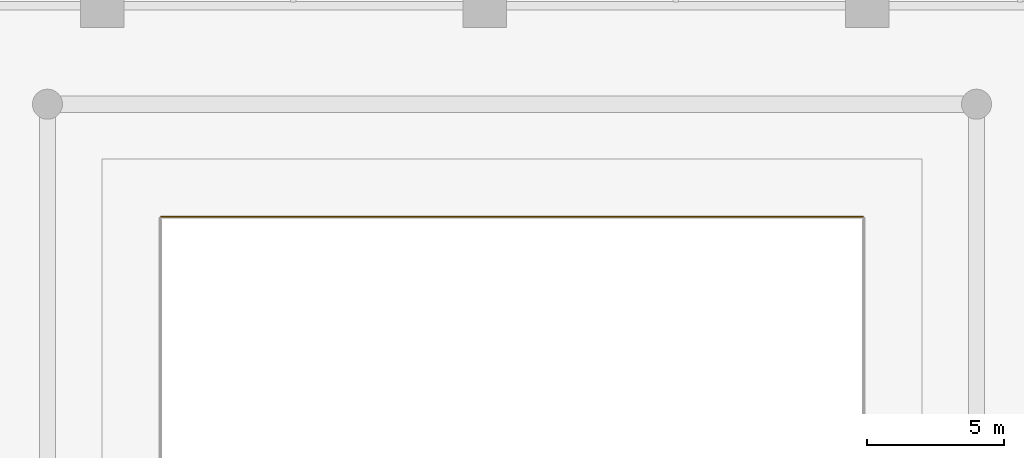
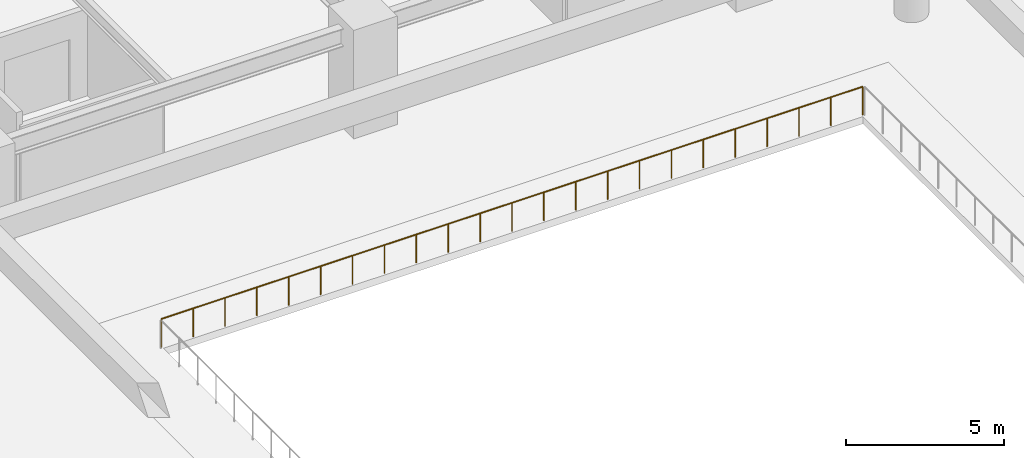
# One storey, part 23 of 25: 1 railing.
"""IFC4 building model written with IfcOpenShell, lengths in metres."""

from ifc_helpers import new_model, si_unit, direction, frame, origin, origin_2d, place, context, subcontext, project, spatial, circle, extrude, material, type_object, element, save


model = new_model("IFC4")

# Units and contexts
model_context = context("Model", 3, precision=1e-05, world=origin(), true_north=direction((0.0, 1.0)))
body_context = subcontext(model_context, "Body", "Model", "MODEL_VIEW")
ifc_project = project(units=[si_unit("LENGTHUNIT", "METRE"), si_unit("AREAUNIT", "SQUARE_METRE"), si_unit("VOLUMEUNIT", "CUBIC_METRE"), si_unit("PLANEANGLEUNIT", "RADIAN"), si_unit("MASSUNIT", "GRAM", prefix="KILO")], contexts=[model_context])

# Site, building, storey
site_placement = place(None, origin())
site = spatial("IfcSite", under=ifc_project, at=site_placement, CompositionType="ELEMENT")
building_placement = place(site_placement, origin())
building = spatial("IfcBuilding", under=site, at=building_placement, Name="Narakoshi Arena Tower", CompositionType="ELEMENT")
storey_placement = place(building_placement, frame((0.0, 0.0, 9.0)))
storey = spatial("IfcBuildingStorey", under=building, at=storey_placement, Name="L02", CompositionType="ELEMENT", Elevation=9.0)

# Railing
ifc_material = material(Name="Clear low-iron laminated structural glass", Category="glass")
railing_type = type_object("IfcRailingType", Name="RL-BAL-1100", PredefinedType="BALUSTRADE", material=ifc_material)
railing_placement = place(storey_placement, frame((39.840087890625, 67.8798828125, 0.0)))
element("IfcRailing", 1, at=railing_placement, inside=storey, type_object=railing_type, Name="L02 Arena Bowl Tier Balustrade 3", PredefinedType="BALUSTRADE", context=body_context, shape_type="SweptSolid", body=[
    extrude(circle(Radius=0.02392578125, at=origin_2d()), frame((0.0, 0.0, 1.09619140625), z_axis=(-1.0, 0.0, 0.0), x_axis=(0.0, -1.0, 0.0)), (0.0, 0.0, 1.0), 25.68017578125),
    extrude(circle(Radius=0.02099609375, at=origin_2d()), origin(), (0.0, 0.0, 1.0), 1.072021484375),
    extrude(circle(Radius=0.02099609375, at=origin_2d()), frame((-1.167236328125, 0.0, 0.0)), (0.0, 0.0, 1.0), 1.072021484375),
    extrude(circle(Radius=0.02099609375, at=origin_2d()), frame((-2.33447265625, 0.0, 0.0)), (0.0, 0.0, 1.0), 1.072021484375),
    extrude(circle(Radius=0.02099609375, at=origin_2d()), frame((-3.501953125, 0.0, 0.0)), (0.0, 0.0, 1.0), 1.072021484375),
    extrude(circle(Radius=0.02099609375, at=origin_2d()), frame((-4.669189453125, 0.0, 0.0)), (0.0, 0.0, 1.0), 1.072021484375),
    extrude(circle(Radius=0.02099609375, at=origin_2d()), frame((-5.83642578125, 0.0, 0.0)), (0.0, 0.0, 1.0), 1.072021484375),
    extrude(circle(Radius=0.02099609375, at=origin_2d()), frame((-7.003662109375, 0.0, 0.0)), (0.0, 0.0, 1.0), 1.072021484375),
    extrude(circle(Radius=0.02099609375, at=origin_2d()), frame((-8.1708984375, 0.0, 0.0)), (0.0, 0.0, 1.0), 1.072021484375),
    extrude(circle(Radius=0.02099609375, at=origin_2d()), frame((-9.338134765625, 0.0, 0.0)), (0.0, 0.0, 1.0), 1.072021484375),
    extrude(circle(Radius=0.02099609375, at=origin_2d()), frame((-10.505615234375, 0.0, 0.0)), (0.0, 0.0, 1.0), 1.072021484375),
    extrude(circle(Radius=0.02099609375, at=origin_2d()), frame((-11.6728515625, 0.0, 0.0)), (0.0, 0.0, 1.0), 1.072021484375),
    extrude(circle(Radius=0.02099609375, at=origin_2d()), frame((-12.840087890625, 0.0, 0.0)), (0.0, 0.0, 1.0), 1.072021484375),
    extrude(circle(Radius=0.02099609375, at=origin_2d()), frame((-14.00732421875, 0.0, 0.0)), (0.0, 0.0, 1.0), 1.072021484375),
    extrude(circle(Radius=0.02099609375, at=origin_2d()), frame((-15.174560546875, 0.0, 0.0)), (0.0, 0.0, 1.0), 1.072021484375),
    extrude(circle(Radius=0.02099609375, at=origin_2d()), frame((-16.342041015625, 0.0, 0.0)), (0.0, 0.0, 1.0), 1.072021484375),
    extrude(circle(Radius=0.02099609375, at=origin_2d()), frame((-17.50927734375, 0.0, 0.0)), (0.0, 0.0, 1.0), 1.072021484375),
    extrude(circle(Radius=0.02099609375, at=origin_2d()), frame((-18.676513671875, 0.0, 0.0)), (0.0, 0.0, 1.0), 1.072021484375),
    extrude(circle(Radius=0.02099609375, at=origin_2d()), frame((-19.84375, 0.0, 0.0)), (0.0, 0.0, 1.0), 1.072021484375),
    extrude(circle(Radius=0.02099609375, at=origin_2d()), frame((-21.010986328125, 0.0, 0.0)), (0.0, 0.0, 1.0), 1.072021484375),
    extrude(circle(Radius=0.02099609375, at=origin_2d()), frame((-22.17822265625, 0.0, 0.0)), (0.0, 0.0, 1.0), 1.072021484375),
    extrude(circle(Radius=0.02099609375, at=origin_2d()), frame((-23.345703125, 0.0, 0.0)), (0.0, 0.0, 1.0), 1.072021484375),
    extrude(circle(Radius=0.02099609375, at=origin_2d()), frame((-24.512939453125, 0.0, 0.0)), (0.0, 0.0, 1.0), 1.072021484375),
    extrude(circle(Radius=0.02099609375, at=origin_2d()), frame((-25.68017578125, 0.0, 0.0)), (0.0, 0.0, 1.0), 1.072021484375),
])

save(model, "model.ifc")
